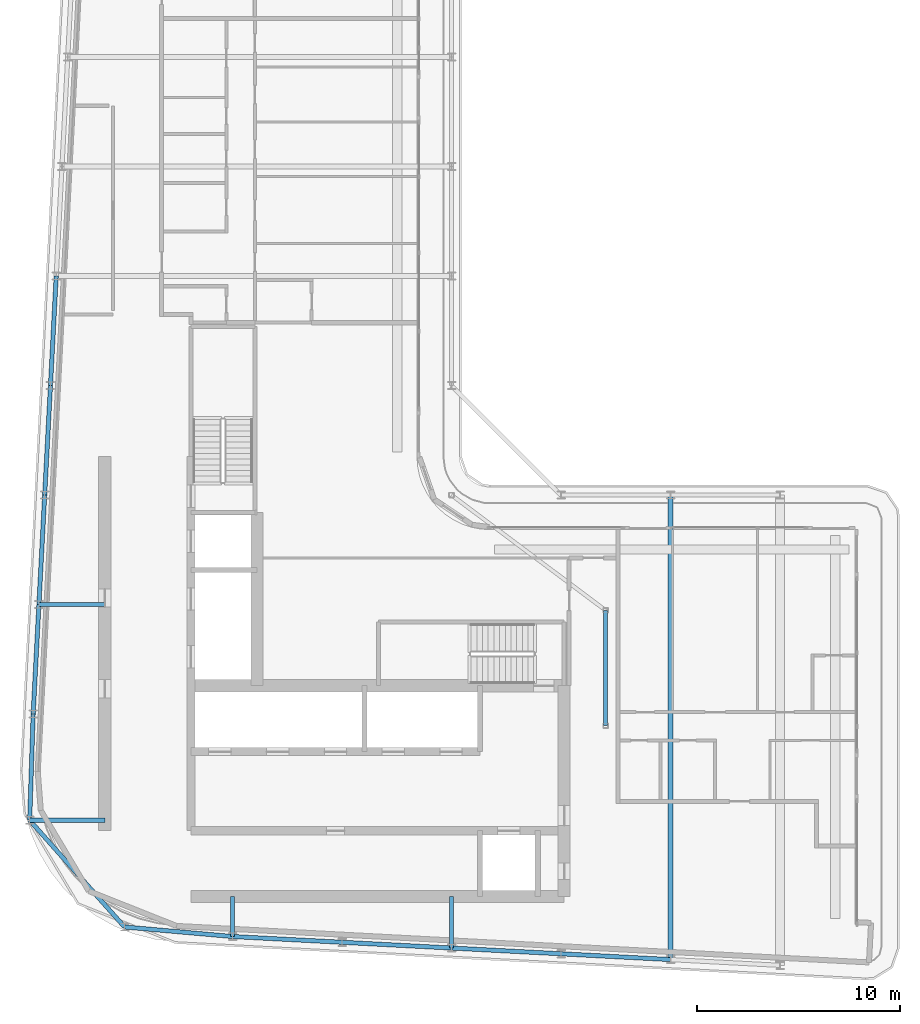
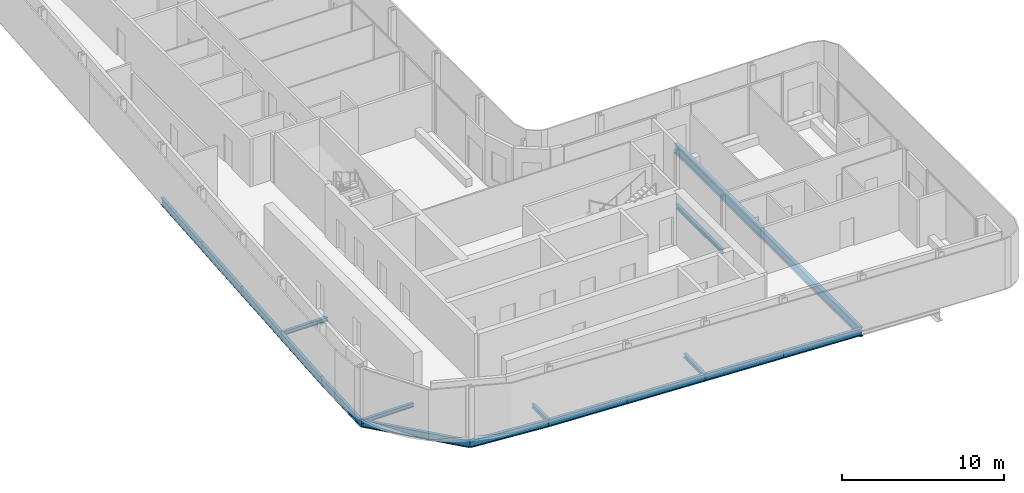
# One storey, part 5 of 21: 17 beams.
"""IFC4 building model written with IfcOpenShell, lengths in metres."""

from ifc_helpers import new_model, si_unit, direction, frame, origin, origin_2d, place, context, subcontext, project, spatial, i_section, extrude, material, material_profile, profile_set, type_object, element, save


model = new_model("IFC4")

# Units and contexts
model_context = context("Model", 3, precision=1e-05, world=origin(), true_north=direction((0.0, 1.0)))
body_context = subcontext(model_context, "Body", "Model", "MODEL_VIEW")
ifc_project = project(units=[si_unit("LENGTHUNIT", "METRE"), si_unit("AREAUNIT", "SQUARE_METRE"), si_unit("VOLUMEUNIT", "CUBIC_METRE"), si_unit("PLANEANGLEUNIT", "RADIAN"), si_unit("MASSUNIT", "GRAM", prefix="KILO")], contexts=[model_context])

# Site, building, storey
site_placement = place(None, origin())
site = spatial("IfcSite", under=ifc_project, at=site_placement, CompositionType="ELEMENT")
building_placement = place(site_placement, origin())
building = spatial("IfcBuilding", under=site, at=building_placement, Name="Kheshtan School and Residences Tower", CompositionType="ELEMENT")
storey_placement = place(building_placement, frame((0.0, 0.0, 305.89990234375)))
storey = spatial("IfcBuildingStorey", under=building, at=storey_placement, Name="L72", CompositionType="ELEMENT", Elevation=305.89990234375)

# Beams
ifc_material = material(Name="Steel ASTM A992 Grade 50", Category="steel")
ifc_material_profile_1 = material_profile(ifc_material, i_section(OverallWidth=0.202880859375, OverallDepth=0.302978515625, WebThickness=0.007568359375, FlangeThickness=0.01318359375, FilletRadius=0.009033203125, at=origin_2d()), Name="W310x60")
ifc_profile_set_1 = profile_set([ifc_material_profile_1], Name="Steel ASTM A992 Grade 50")
beam_type_1 = type_object("IfcBeamType", Name="Beam FB1 W310x60 ASTM A992 Grade 50", PredefinedType="BEAM", material=ifc_profile_set_1)
beam_1_placement = place(storey_placement, frame((47.60009765625, 23.263916015625, -0.301513671875), z_axis=(0.0, 1.0, 0.0), x_axis=(-1.0, 0.0, 0.0)))
element("IfcBeam", 1, at=beam_1_placement, inside=storey, type_object=beam_type_1, Name="Floor beam C020", PredefinedType="BEAM", context=body_context, shape_type="SweptSolid", body=[
    extrude(i_section(OverallWidth=0.202880859375, OverallDepth=0.302978515625, WebThickness=0.007568359375, FlangeThickness=0.01318359375, FilletRadius=0.009033203125, at=origin_2d()), origin(), (0.0, 0.0, 1.0), 2.5361328125),
])
beam_2_placement = place(storey_placement, frame((36.800048828125, 23.83203125, -0.301513671875), z_axis=(0.0, 1.0, 0.0), x_axis=(-1.0, 0.0, 0.0)))
element("IfcBeam", 2, at=beam_2_placement, inside=storey, type_object=beam_type_1, Name="Floor beam C022", PredefinedType="BEAM", context=body_context, shape_type="SweptSolid", body=[
    extrude(i_section(OverallWidth=0.202880859375, OverallDepth=0.302978515625, WebThickness=0.007568359375, FlangeThickness=0.01318359375, FilletRadius=0.009033203125, at=origin_2d()), origin(), (0.0, 0.0, 1.0), 1.968017578125),
])
beam_3_placement = place(storey_placement, frame((26.797119140625, 29.56591796875, -0.301513671875), z_axis=(1.0, 0.0, 0.0), x_axis=(0.0, 1.0, 0.0)))
element("IfcBeam", 3, at=beam_3_placement, inside=storey, type_object=beam_type_1, Name="Floor beam C044", PredefinedType="BEAM", context=body_context, shape_type="SweptSolid", body=[
    extrude(i_section(OverallWidth=0.202880859375, OverallDepth=0.302978515625, WebThickness=0.007568359375, FlangeThickness=0.01318359375, FilletRadius=0.009033203125, at=origin_2d()), origin(), (0.0, 0.0, 1.0), 3.702880859375),
])
beam_4_placement = place(storey_placement, frame((27.2529296875, 40.199951171875, -0.301513671875), z_axis=(1.0, 0.0, 0.0), x_axis=(0.0, 1.0, 0.0)))
element("IfcBeam", 4, at=beam_4_placement, inside=storey, type_object=beam_type_1, Name="Floor beam C056", PredefinedType="BEAM", context=body_context, shape_type="SweptSolid", body=[
    extrude(i_section(OverallWidth=0.202880859375, OverallDepth=0.302978515625, WebThickness=0.007568359375, FlangeThickness=0.01318359375, FilletRadius=0.009033203125, at=origin_2d()), origin(), (0.0, 0.0, 1.0), 3.2470703125),
])
beam_5_placement = place(storey_placement, frame((55.199951171875, 34.23193359375, -0.301513671875), z_axis=(0.0, 1.0, 0.0), x_axis=(-1.0, 0.0, 0.0)))
element("IfcBeam", 5, at=beam_5_placement, inside=storey, type_object=beam_type_1, Name="Floor beam IC", PredefinedType="BEAM", context=body_context, shape_type="SweptSolid", body=[
    extrude(i_section(OverallWidth=0.202880859375, OverallDepth=0.302978515625, WebThickness=0.007568359375, FlangeThickness=0.01318359375, FilletRadius=0.009033203125, at=origin_2d()), origin(), (0.0, 0.0, 1.0), 5.68408203125),
])
ifc_material_profile_2 = material_profile(ifc_material, i_section(OverallWidth=0.2529296875, OverallDepth=0.677978515625, WebThickness=0.01171875, FlangeThickness=0.016357421875, FilletRadius=0.0146484375, at=origin_2d()), Name="W690x125")
ifc_profile_set_2 = profile_set([ifc_material_profile_2], Name="Steel ASTM A992 Grade 50")
beam_type_2 = type_object("IfcBeamType", Name="Beam FB6 W690x125 ASTM A992 Grade 50", PredefinedType="BEAM", material=ifc_profile_set_2)
beam_6_placement = place(storey_placement, frame((58.39990234375, 22.695068359375, -0.489013671875), z_axis=(0.0, 1.0, 0.0), x_axis=(-1.0, 0.0, 0.0)))
element("IfcBeam", 6, at=beam_6_placement, inside=storey, type_object=beam_type_2, Name="Floor beam C018", PredefinedType="BEAM", context=body_context, shape_type="SweptSolid", body=[
    extrude(i_section(OverallWidth=0.2529296875, OverallDepth=0.677978515625, WebThickness=0.01171875, FlangeThickness=0.016357421875, FilletRadius=0.0146484375, at=origin_2d()), origin(), (0.0, 0.0, 1.0), 22.905029296875),
])
ifc_material_profile_3 = material_profile(ifc_material, i_section(OverallWidth=0.208984375, OverallDepth=0.532958984375, WebThickness=0.01025390625, FlangeThickness=0.015625, FilletRadius=0.013916015625, at=origin_2d()), Name="W530x92")
ifc_profile_set_3 = profile_set([ifc_material_profile_3], Name="Steel ASTM A992 Grade 50")
beam_type_3 = type_object("IfcBeamType", Name="Beam SP3 W530x92 ASTM A992 Grade 50", PredefinedType="BEAM", material=ifc_profile_set_3)
for number, where, z_axis, x_axis, name in (
    (7, (58.39990234375, 22.695068359375, -0.41650390625), (-0.998610961136, 0.052689166816, 0.0), (-0.052689166816, -0.998610961136, 0.0), "Spandrel beam C018-C019"),
    (8, (53.0, 22.97998046875, -0.41650390625), (-0.998620447272, 0.05250906864, 0.0), (-0.05250906864, -0.998620447272, 0.0), "Spandrel beam C019-C020"),
):
    element("IfcBeam", number, at=place(storey_placement, frame(where, z_axis=z_axis, x_axis=x_axis)), inside=storey, type_object=beam_type_3, Name=name, PredefinedType="BEAM", context=body_context, shape_type="SweptSolid", body=[
        extrude(i_section(OverallWidth=0.208984375, OverallDepth=0.532958984375, WebThickness=0.01025390625, FlangeThickness=0.015625, FilletRadius=0.013916015625, at=origin_2d()), origin(), (0.0, 0.0, 1.0), 5.407470703125),
    ])
beam_7_placement = place(storey_placement, frame((47.60009765625, 23.263916015625, -0.41650390625), z_axis=(-0.998618203458, 0.052551724256, 0.0), x_axis=(-0.052551724256, -0.998618203458, 0.0)))
element("IfcBeam", 9, at=beam_7_placement, inside=storey, type_object=beam_type_3, Name="Spandrel beam C020-C021", PredefinedType="BEAM", context=body_context, shape_type="SweptSolid", body=[
    extrude(i_section(OverallWidth=0.208984375, OverallDepth=0.532958984375, WebThickness=0.01025390625, FlangeThickness=0.015625, FilletRadius=0.013916015625, at=origin_2d()), origin(), (0.0, 0.0, 1.0), 5.40771484375),
])
beam_8_placement = place(storey_placement, frame((42.199951171875, 23.548095703125, -0.41650390625), z_axis=(-0.998620447272, 0.05250906864, 0.0), x_axis=(-0.05250906864, -0.998620447272, 0.0)))
element("IfcBeam", 10, at=beam_8_placement, inside=storey, type_object=beam_type_3, Name="Spandrel beam C021-C022", PredefinedType="BEAM", context=body_context, shape_type="SweptSolid", body=[
    extrude(i_section(OverallWidth=0.208984375, OverallDepth=0.532958984375, WebThickness=0.01025390625, FlangeThickness=0.015625, FilletRadius=0.013916015625, at=origin_2d()), origin(), (0.0, 0.0, 1.0), 5.407470703125),
])
beam_9_placement = place(storey_placement, frame((36.800048828125, 23.83203125, -0.41650390625), z_axis=(-0.996129262073, 0.087900473504, 0.0), x_axis=(-0.087900473504, -0.996129262073, 0.0)))
element("IfcBeam", 11, at=beam_9_placement, inside=storey, type_object=beam_type_3, Name="Spandrel beam C022-C031", PredefinedType="BEAM", context=body_context, shape_type="SweptSolid", body=[
    extrude(i_section(OverallWidth=0.208984375, OverallDepth=0.532958984375, WebThickness=0.01025390625, FlangeThickness=0.015625, FilletRadius=0.013916015625, at=origin_2d()), origin(), (0.0, 0.0, 1.0), 5.3466796875),
])
beam_10_placement = place(storey_placement, frame((31.47412109375, 24.302001953125, -0.41650390625), z_axis=(-0.664202421408, 0.747552769639, 0.0), x_axis=(-0.747552769639, -0.664202421408, 0.0)))
element("IfcBeam", 12, at=beam_10_placement, inside=storey, type_object=beam_type_3, Name="Spandrel beam C031-C044", PredefinedType="BEAM", context=body_context, shape_type="SweptSolid", body=[
    extrude(i_section(OverallWidth=0.208984375, OverallDepth=0.532958984375, WebThickness=0.01025390625, FlangeThickness=0.015625, FilletRadius=0.013916015625, at=origin_2d()), origin(), (0.0, 0.0, 1.0), 7.04150390625),
])
beam_11_placement = place(storey_placement, frame((26.797119140625, 29.56591796875, -0.41650390625), z_axis=(0.032819662671, 0.999461289767, 0.0), x_axis=(-0.999461289767, 0.032819662671, 0.0)))
element("IfcBeam", 13, at=beam_11_placement, inside=storey, type_object=beam_type_3, Name="Spandrel beam C044-C052", PredefinedType="BEAM", context=body_context, shape_type="SweptSolid", body=[
    extrude(i_section(OverallWidth=0.208984375, OverallDepth=0.532958984375, WebThickness=0.01025390625, FlangeThickness=0.015625, FilletRadius=0.013916015625, at=origin_2d()), origin(), (0.0, 0.0, 1.0), 5.237060546875),
])
beam_12_placement = place(storey_placement, frame((26.968994140625, 34.800048828125, -0.41650390625), z_axis=(0.05250906864, 0.998620447272, 0.0), x_axis=(-0.998620447272, 0.05250906864, 0.0)))
element("IfcBeam", 14, at=beam_12_placement, inside=storey, type_object=beam_type_3, Name="Spandrel beam C052-C056", PredefinedType="BEAM", context=body_context, shape_type="SweptSolid", body=[
    extrude(i_section(OverallWidth=0.208984375, OverallDepth=0.532958984375, WebThickness=0.01025390625, FlangeThickness=0.015625, FilletRadius=0.013916015625, at=origin_2d()), origin(), (0.0, 0.0, 1.0), 5.407470703125),
])
beam_13_placement = place(storey_placement, frame((27.2529296875, 40.199951171875, -0.41650390625), z_axis=(0.052551724256, 0.998618203458, 0.0), x_axis=(-0.998618203458, 0.052551724256, 0.0)))
element("IfcBeam", 15, at=beam_13_placement, inside=storey, type_object=beam_type_3, Name="Spandrel beam C056-C059", PredefinedType="BEAM", context=body_context, shape_type="SweptSolid", body=[
    extrude(i_section(OverallWidth=0.208984375, OverallDepth=0.532958984375, WebThickness=0.01025390625, FlangeThickness=0.015625, FilletRadius=0.013916015625, at=origin_2d()), origin(), (0.0, 0.0, 1.0), 5.40771484375),
])
for number, where, z_axis, x_axis, name in (
    (16, (27.537109375, 45.60009765625, -0.41650390625), (0.052689166816, 0.998610961136, 0.0), (-0.998610961136, 0.052689166816, 0.0), "Spandrel beam C059-C078"),
    (17, (27.822021484375, 51.0, -0.41650390625), (0.05250906864, 0.998620447272, 0.0), (-0.998620447272, 0.05250906864, 0.0), "Spandrel beam C078-C080"),
):
    element("IfcBeam", number, at=place(storey_placement, frame(where, z_axis=z_axis, x_axis=x_axis)), inside=storey, type_object=beam_type_3, Name=name, PredefinedType="BEAM", context=body_context, shape_type="SweptSolid", body=[
        extrude(i_section(OverallWidth=0.208984375, OverallDepth=0.532958984375, WebThickness=0.01025390625, FlangeThickness=0.015625, FilletRadius=0.013916015625, at=origin_2d()), origin(), (0.0, 0.0, 1.0), 5.407470703125),
    ])

save(model, "model.ifc")
